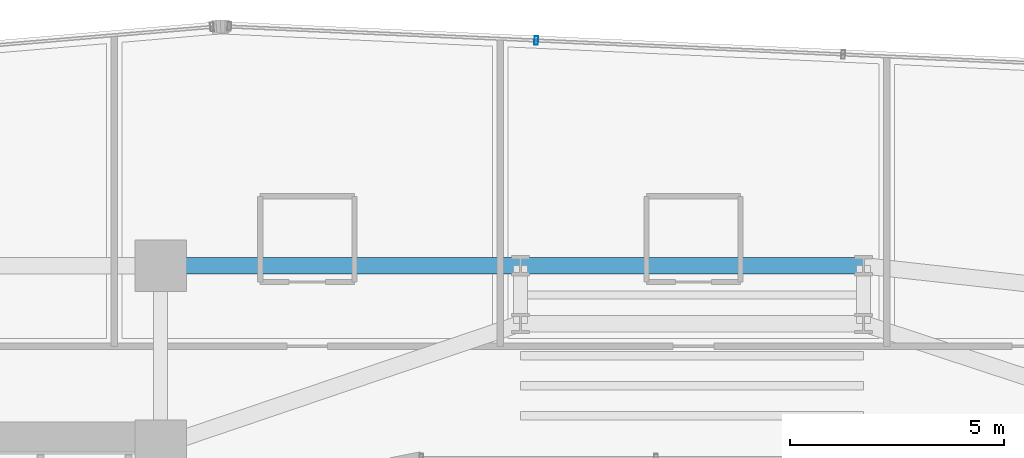
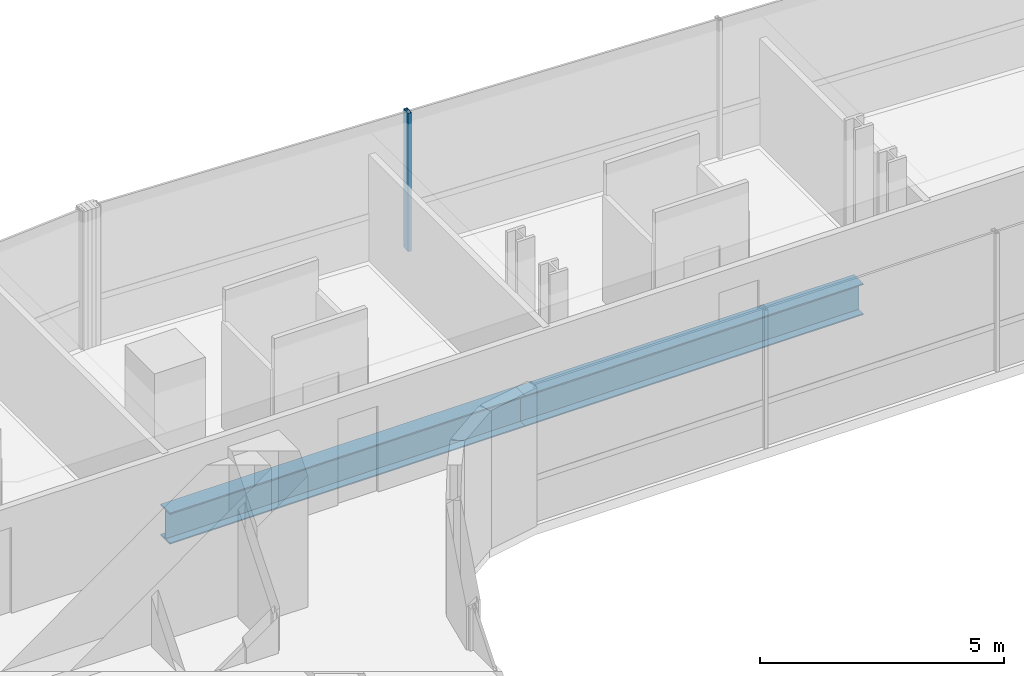
# One storey, part 21 of 35: 2 beams, 1 member, 1 element without a shape of its own.
"""IFC4 building model written with IfcOpenShell, lengths in metres."""

from ifc_helpers import new_model, si_unit, direction, frame, origin, origin_2d, place, context, subcontext, project, spatial, hollow_rectangle, i_section, extrude, source, transform, mapped, material, material_profile, profile_set, type_object, element, aggregate, save


model = new_model("IFC4")

# Units and contexts
model_context = context("Model", 3, precision=1e-05, world=origin(), true_north=direction((0.0, 1.0)))
body_context = subcontext(model_context, "Body", "Model", "MODEL_VIEW")
ifc_project = project(units=[si_unit("LENGTHUNIT", "METRE"), si_unit("AREAUNIT", "SQUARE_METRE"), si_unit("VOLUMEUNIT", "CUBIC_METRE"), si_unit("PLANEANGLEUNIT", "RADIAN"), si_unit("MASSUNIT", "GRAM", prefix="KILO")], contexts=[model_context])

# Site, building, storey
site_placement = place(None, origin())
site = spatial("IfcSite", under=ifc_project, at=site_placement, CompositionType="ELEMENT")
building_placement = place(site_placement, origin())
building = spatial("IfcBuilding", under=site, at=building_placement, Name="Valdorenza Pilgrim Sanctuary Tower", CompositionType="ELEMENT")
storey_placement = place(building_placement, frame((0.0, 0.0, 116.800048828125)))
storey = spatial("IfcBuildingStorey", under=building, at=storey_placement, Name="L29", CompositionType="ELEMENT", Elevation=116.800048828125)

# Beams
ifc_material_1 = material(Name="Steel ASTM A992 Grade 50", Category="steel")
ifc_material_profile_1 = material_profile(ifc_material_1, i_section(OverallWidth=0.382080078125, OverallDepth=0.779052734375, WebThickness=0.01806640625, FlangeThickness=0.030029296875, at=origin_2d()), Name="W30X191")
ifc_profile_set_1 = profile_set([ifc_material_profile_1], Name="Steel ASTM A992 Grade 50")
beam_type = type_object("IfcBeamType", Name="STR-BM-GRD-W30", PredefinedType="BEAM", material=ifc_profile_set_1)
shared_shape_1 = source(origin(), body_context, "Body", "SweptSolid", [
    extrude(i_section(OverallWidth=0.382080078125, OverallDepth=0.779052734375, WebThickness=0.01806640625, FlangeThickness=0.030029296875, at=origin_2d()), origin(), (0.0, 0.0, 1.0), 8.0),
])
beam_1_placement = place(storey_placement, frame((-4.0, 14.800048828125, -0.629638671875), z_axis=(1.0, 0.0, 0.0), x_axis=(0.0, 1.0, 0.0)))
element("IfcBeam", 1, at=beam_1_placement, inside=storey, type_object=beam_type, Name="L29 Floor Girder KNK-G5", PredefinedType="BEAM", context=body_context, shape_type="MappedRepresentation", body=[
    mapped(shared_shape_1, transform((0.0, 0.0, 0.0), x_axis=(1.0, 0.0, 0.0), y_axis=(0.0, 1.0, 0.0), z_axis=(0.0, 0.0, 1.0), scale=1.0)),
])
shared_shape_2 = source(origin(), body_context, "Body", "SweptSolid", [
    extrude(i_section(OverallWidth=0.382080078125, OverallDepth=0.779052734375, WebThickness=0.01806640625, FlangeThickness=0.030029296875, at=origin_2d()), origin(), (0.0, 0.0, 1.0), 8.39990234375),
])
beam_2_placement = place(storey_placement, frame((-12.39990234375, 14.800048828125, -0.629638671875), z_axis=(1.0, 0.0, 0.0), x_axis=(0.0, 1.0, 0.0)))
element("IfcBeam", 2, at=beam_2_placement, inside=storey, type_object=beam_type, Name="L29 Floor Girder KNK-G4", PredefinedType="BEAM", context=body_context, shape_type="MappedRepresentation", body=[
    mapped(shared_shape_2, transform((0.0, 0.0, 0.0), x_axis=(1.0, 0.0, 0.0), y_axis=(0.0, 1.0, 0.0), z_axis=(0.0, 0.0, 1.0), scale=1.0)),
])

# Curtain wall, member
ifc_material_2 = material(Name="Curtain-wall IGU glazing", Category="glass")
curtain_wall_type = type_object("IfcCurtainWallType", Name="CW-SYS-02", PredefinedType="NOTDEFINED", material=ifc_material_2)
curtain_wall_placement = place(storey_placement, origin())
curtain_wall = element("IfcCurtainWall", 3, at=curtain_wall_placement, inside=storey, type_object=curtain_wall_type, Name="L29 Curtain Wall CW-L29-1-11", PredefinedType="NOTDEFINED")
ifc_material_3 = material(Name="Anodised aluminium AW-6060", Category="aluminium")
ifc_material_profile_2 = material_profile(ifc_material_3, hollow_rectangle(XDim=0.0849609375, YDim=0.199951171875, WallThickness=0.0048828125, at=origin_2d()), Name="ALU-M 200x85x5")
ifc_profile_set_2 = profile_set([ifc_material_profile_2], Name="Anodised aluminium AW-6060")
member_type = type_object("IfcMemberType", Name="CW-MUL-02", PredefinedType="MULLION", material=ifc_profile_set_2)
shared_shape_3 = source(origin(), body_context, "Body", "SweptSolid", [
    extrude(hollow_rectangle(XDim=0.0849609375, YDim=0.199951171875, WallThickness=0.0048828125, at=origin_2d()), origin(), (0.0, 0.0, 1.0), 3.4599609375),
])
member_placement = place(storey_placement, frame((-3.6337890625, 20.05517578125, 0.0), z_axis=(0.0, 0.0, 1.0), x_axis=(0.998968193221, -0.045415294044, 0.0)))
member = element("IfcMember", 4, at=member_placement, type_object=member_type, Name="CW-L29-1-11 Mullion 2", PredefinedType="MULLION", context=body_context, shape_type="MappedRepresentation", body=[
    mapped(shared_shape_3, transform((0.0, 0.0, 0.0), x_axis=(1.0, 0.0, 0.0), y_axis=(0.0, 1.0, 0.0), z_axis=(0.0, 0.0, 1.0), scale=1.0)),
])
aggregate(curtain_wall, [member])

save(model, "model.ifc")
